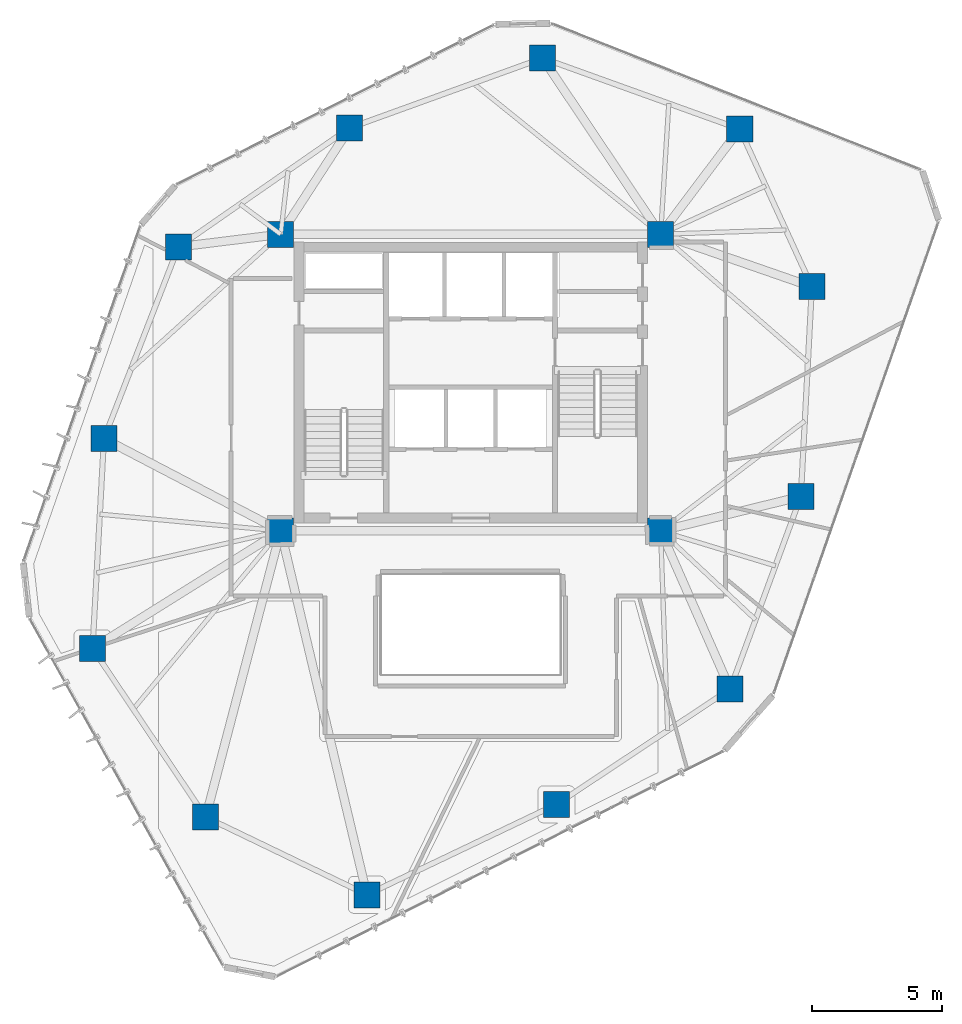
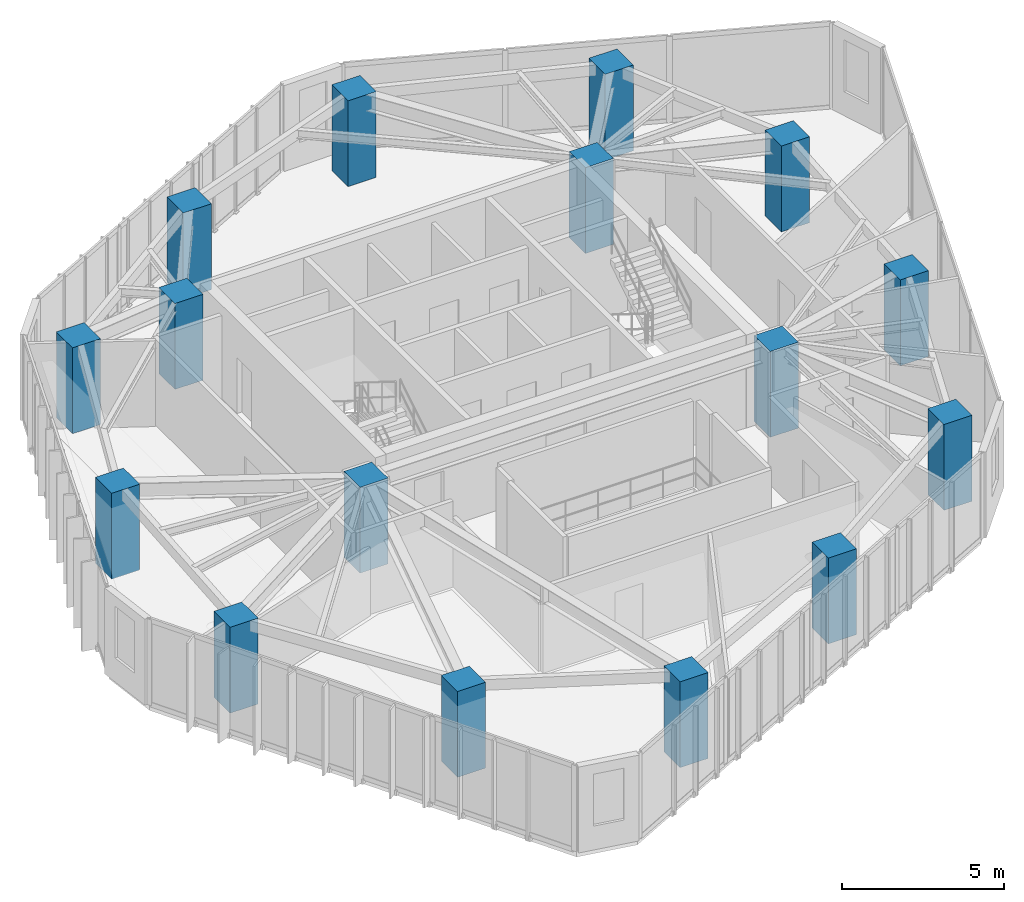
# One storey, part 1 of 20: 16 columns.
"""IFC4 building model written with IfcOpenShell, lengths in metres."""

from ifc_helpers import new_model, si_unit, direction, frame, origin, origin_2d, place, context, subcontext, project, spatial, rectangle, extrude, material, material_profile, profile_set, type_object, element, save


model = new_model("IFC4")

# Units and contexts
model_context = context("Model", 3, precision=1e-05, world=origin(), true_north=direction((0.0, 1.0)))
body_context = subcontext(model_context, "Body", "Model", "MODEL_VIEW")
ifc_project = project(units=[si_unit("LENGTHUNIT", "METRE"), si_unit("AREAUNIT", "SQUARE_METRE"), si_unit("VOLUMEUNIT", "CUBIC_METRE"), si_unit("PLANEANGLEUNIT", "RADIAN"), si_unit("MASSUNIT", "GRAM", prefix="KILO")], contexts=[model_context])

# Site, building, storey
site_placement = place(None, origin())
site = spatial("IfcSite", under=ifc_project, at=site_placement, CompositionType="ELEMENT")
building_placement = place(site_placement, origin())
building = spatial("IfcBuilding", under=site, at=building_placement, Name="Talar Marvaseh", CompositionType="ELEMENT")
storey_placement = place(building_placement, frame((0.0, 0.0, 170.5)))
storey = spatial("IfcBuildingStorey", under=building, at=storey_placement, Name="L44", CompositionType="ELEMENT", Elevation=170.5)

# Columns
ifc_material = material(Name="Concrete C60/75", Category="concrete")
ifc_material_profile = material_profile(ifc_material, rectangle(XDim=1.0, YDim=1.0, at=origin_2d()), Name="RC1000x1000")
ifc_profile_set = profile_set([ifc_material_profile], Name="Concrete C60/75")
column_type = type_object("IfcColumnType", Name="Zone 3 Tube Column RC1000x1000", PredefinedType="COLUMN", material=ifc_profile_set)
for number, where, z_axis, x_axis, name in (
    (1, (28.76611328125, 43.66796875, 0.0), (0.0, 0.0, 1.0), (1.0, 0.0, 0.0), "L44 Zone 3 Tube Column RC1000x1000"),
    (2, (36.341064453125, 40.94189453125, 0.0), (0.0, 0.0, 1.0), (1.0, 0.0, 0.0), "L44 Zone 3 Tube Column RC1000x1000"),
    (3, (39.113037109375, 34.884033203125, 0.0), (0.0, 0.0, 1.0), (1.0, 0.0, 0.0), "L44 Zone 3 Tube Column RC1000x1000"),
    (4, (38.68896484375, 26.823974609375, 0.0), (0.0, 0.0, 1.0), (1.0, 0.0, 0.0), "L44 Zone 3 Tube Column RC1000x1000"),
    (5, (35.970947265625, 19.423095703125, 0.0), (0.0, 0.0, 1.0), (1.0, 0.0, 0.0), "L44 Zone 3 Tube Column RC1000x1000"),
    (6, (29.299072265625, 14.993896484375, 0.0), (0.0, 0.0, 1.0), (1.0, 0.0, 0.0), "L44 Zone 3 Tube Column RC1000x1000"),
    (7, (22.014892578125, 11.51904296875, 0.0), (0.0, 0.0, 1.0), (1.0, 0.0, 0.0), "L44 Zone 3 Tube Column RC1000x1000"),
    (8, (15.819091796875, 14.5009765625, 0.0), (0.0, 0.0, 1.0), (1.0, 0.0, 0.0), "L44 Zone 3 Tube Column RC1000x1000"),
    (9, (11.471923828125, 20.986083984375, 0.0), (0.0, 0.0, 1.0), (1.0, 0.0, 0.0), "L44 Zone 3 Tube Column RC1000x1000"),
    (10, (11.908935546875, 29.044921875, 0.0), (0.0, 0.0, 1.0), (1.0, 0.0, 0.0), "L44 Zone 3 Tube Column RC1000x1000"),
    (11, (14.77294921875, 36.416015625, 0.0), (0.0, 0.0, 1.0), (1.0, 0.0, 0.0), "L44 Zone 3 Tube Column RC1000x1000"),
    (12, (21.35205078125, 40.986083984375, 0.0), (0.0, 0.0, 1.0), (1.0, 0.0, 0.0), "L44 Zone 3 Tube Column RC1000x1000"),
    (13, (18.699951171875, 25.5, 0.0), (0.0, 0.0, 1.0), (1.0, 0.0, 0.0), "L44 Zone 3 Tube Column RC1000x1000"),
    (14, (33.300048828125, 25.5, 0.0), (0.0, 0.0, 1.0), (1.0, 0.0, 0.0), "L44 Zone 3 Tube Column RC1000x1000"),
    (15, (33.300048828125, 36.89990234375, 0.0), (0.0, 0.0, 1.0), (1.0, 0.0, 0.0), "L44 Zone 3 Tube Column RC1000x1000"),
    (16, (18.699951171875, 36.89990234375, 0.0), (0.0, 0.0, 1.0), (1.0, 0.0, 0.0), "L44 Zone 3 Tube Column RC1000x1000"),
):
    element("IfcColumn", number, at=place(storey_placement, frame(where, z_axis=z_axis, x_axis=x_axis)), inside=storey, type_object=column_type, Name=name, PredefinedType="COLUMN", context=body_context, shape_type="SweptSolid", body=[
        extrude(rectangle(XDim=1.0, YDim=1.0, at=origin_2d()), origin(), (0.0, 0.0, 1.0), 3.22998046875),
    ])

save(model, "model.ifc")
